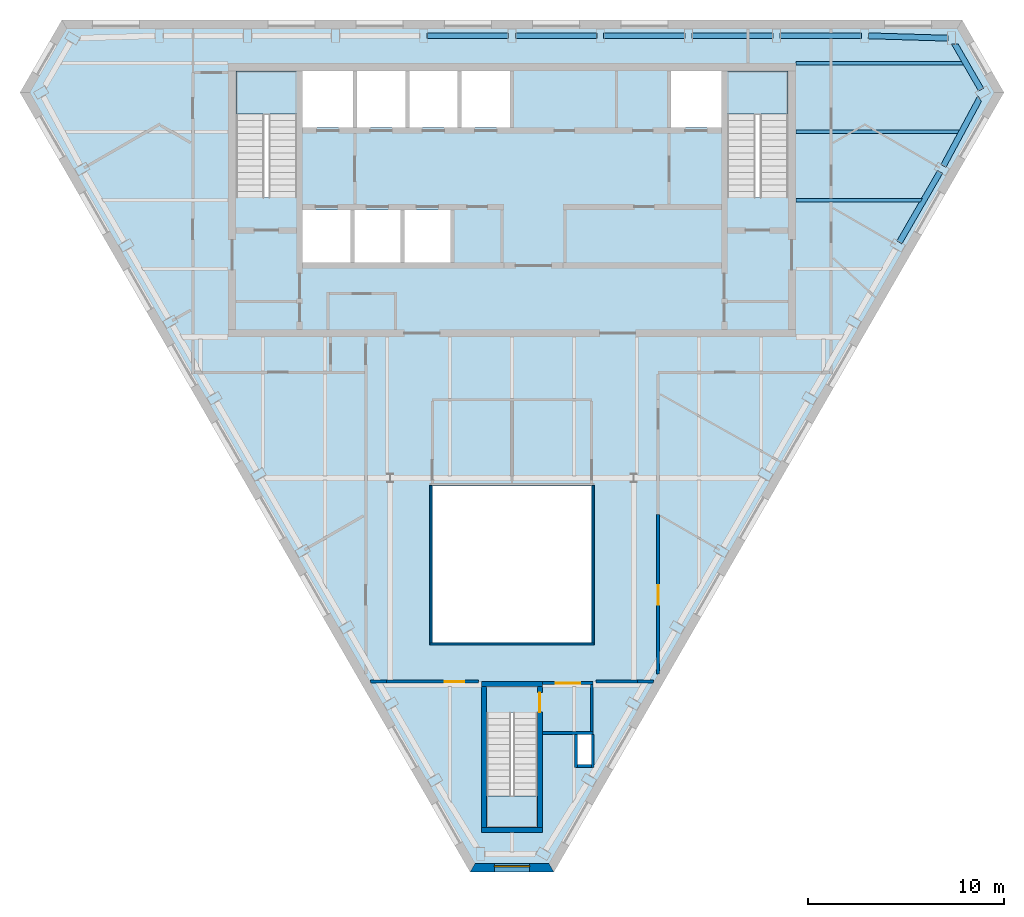
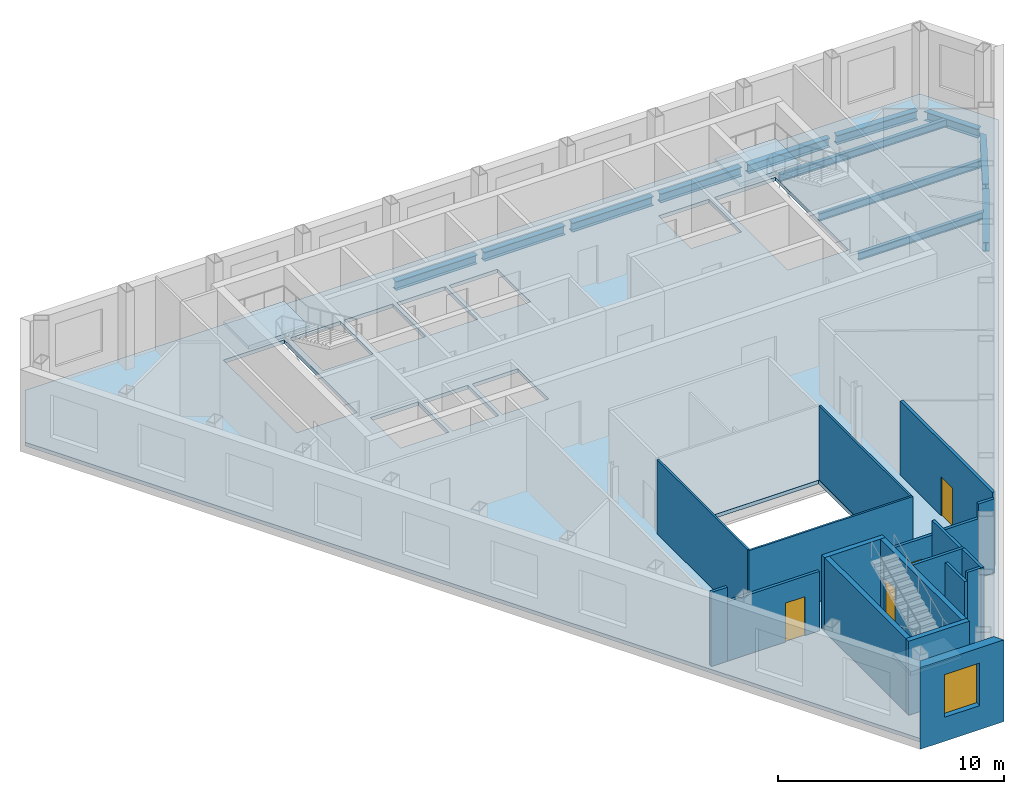
# One storey, part 3 of 9: 19 walls, 12 beams, 4 doors, 4 slabs, 1 window, 5 openings, 3 elements without a shape of their own.
"""IFC4 building model written with IfcOpenShell, lengths in metres."""

from ifc_helpers import new_model, si_unit, direction, frame, frame_2d, origin, origin_2d, place, context, subcontext, project, spatial, polyline, rectangle, i_section, outline, extrude, clip, halfspace, material, layer, layer_set, material_profile, profile_set, type_object, element, fill, aggregate, save


model = new_model("IFC4")

# Units and contexts
model_context = context("Model", 3, precision=1e-05, world=origin(), true_north=direction((0.0, 1.0)))
body_context = subcontext(model_context, "Body", "Model", "MODEL_VIEW")
ifc_project = project(units=[si_unit("LENGTHUNIT", "METRE"), si_unit("AREAUNIT", "SQUARE_METRE"), si_unit("VOLUMEUNIT", "CUBIC_METRE"), si_unit("PLANEANGLEUNIT", "RADIAN"), si_unit("MASSUNIT", "GRAM", prefix="KILO")], contexts=[model_context])

# Site, building, storey
site_placement = place(None, origin())
site = spatial("IfcSite", under=ifc_project, at=site_placement, CompositionType="ELEMENT")
building_placement = place(site_placement, origin())
building = spatial("IfcBuilding", under=site, at=building_placement, Name="Njiva Tower", CompositionType="ELEMENT")
storey_placement = place(building_placement, frame((0.0, 0.0, 325.2)))
storey = spatial("IfcBuildingStorey", under=building, at=storey_placement, Name="L74", CompositionType="ELEMENT", Elevation=325.2)

# Beams
ifc_material_1 = material(Name="Steel S355 J2", Category="steel")
ifc_material_profile_1 = material_profile(ifc_material_1, i_section(OverallWidth=0.3, OverallDepth=0.49, WebThickness=0.012, FlangeThickness=0.023, at=origin_2d()), Name="HEA 500")
ifc_profile_set_1 = profile_set([ifc_material_profile_1], Name="Steel S355 J2")
beam_type_1 = type_object("IfcBeamType", Name="B48 Short-span spandrel beam HEA 500", PredefinedType="SPANDREL", material=ifc_profile_set_1)
beam_1_placement = place(storey_placement, frame((22.277, 19.272, -0.445), z_axis=(-0.999544102072, 0.030192515853, 0.0), x_axis=(-0.030192515853, -0.999544102072, 0.0)))
element("IfcBeam", 1, at=beam_1_placement, inside=storey, type_object=beam_type_1, Name="Short-span spandrel beam S25-B112", PredefinedType="SPANDREL", context=body_context, shape_type="SweptSolid", body=[
    extrude(i_section(OverallWidth=0.3, OverallDepth=0.49, WebThickness=0.012, FlangeThickness=0.023, at=origin_2d()), origin(), (0.0, 0.0, 1.0), 4.0739),
])
beam_2_placement = place(storey_placement, frame((17.851, 19.4, -0.445), z_axis=(-1.0, 0.0, 0.0), x_axis=(0.0, -1.0, 0.0)))
element("IfcBeam", 2, at=beam_2_placement, inside=storey, type_object=beam_type_1, Name="Short-span spandrel beam S25-B107", PredefinedType="SPANDREL", context=body_context, shape_type="SweptSolid", body=[
    extrude(i_section(OverallWidth=0.3, OverallDepth=0.49, WebThickness=0.012, FlangeThickness=0.023, at=origin_2d()), origin(), (0.0, 0.0, 1.0), 4.156),
])
beam_3_placement = place(storey_placement, frame((13.345, 19.4, -0.445), z_axis=(-1.0, 0.0, 0.0), x_axis=(0.0, -1.0, 0.0)))
element("IfcBeam", 3, at=beam_3_placement, inside=storey, type_object=beam_type_1, Name="Short-span spandrel beam S25-B102", PredefinedType="SPANDREL", context=body_context, shape_type="SweptSolid", body=[
    extrude(i_section(OverallWidth=0.3, OverallDepth=0.49, WebThickness=0.012, FlangeThickness=0.023, at=origin_2d()), origin(), (0.0, 0.0, 1.0), 4.157),
])
beam_4_placement = place(storey_placement, frame((8.838, 19.4, -0.445), z_axis=(-1.0, 0.0, 0.0), x_axis=(0.0, -1.0, 0.0)))
element("IfcBeam", 4, at=beam_4_placement, inside=storey, type_object=beam_type_1, Name="Short-span spandrel beam S25-B097", PredefinedType="SPANDREL", context=body_context, shape_type="SweptSolid", body=[
    extrude(i_section(OverallWidth=0.3, OverallDepth=0.49, WebThickness=0.012, FlangeThickness=0.023, at=origin_2d()), origin(), (0.0, 0.0, 1.0), 4.156),
])
for number, where, z_axis, x_axis, name in (
    (5, (4.332, 19.4, -0.445), (-1.0, 0.0, 0.0), (0.0, -1.0, 0.0), "Short-span spandrel beam S25-B092"),
    (6, (-0.175, 19.4, -0.445), (-1.0, 0.0, 0.0), (0.0, -1.0, 0.0), "Short-span spandrel beam S25-B087"),
):
    element("IfcBeam", number, at=place(storey_placement, frame(where, z_axis=z_axis, x_axis=x_axis)), inside=storey, type_object=beam_type_1, Name=name, PredefinedType="SPANDREL", context=body_context, shape_type="SweptSolid", body=[
        extrude(i_section(OverallWidth=0.3, OverallDepth=0.49, WebThickness=0.012, FlangeThickness=0.023, at=origin_2d()), origin(), (0.0, 0.0, 1.0), 4.157),
    ])
beam_5_placement = place(storey_placement, frame((19.792, 8.84, -0.445), z_axis=(0.500201435056, 0.865909073961, 0.0), x_axis=(-0.865909073961, 0.500201435056, 0.0)))
element("IfcBeam", 7, at=beam_5_placement, inside=storey, type_object=beam_type_1, Name="Short-span spandrel beam S25-B114", PredefinedType="SPANDREL", context=body_context, shape_type="SweptSolid", body=[
    extrude(i_section(OverallWidth=0.3, OverallDepth=0.49, WebThickness=0.012, FlangeThickness=0.023, at=origin_2d()), origin(), (0.0, 0.0, 1.0), 4.1563),
])
beam_6_placement = place(storey_placement, frame((22.043, 12.748, -0.445), z_axis=(0.473778736284, 0.880643917282, 0.0), x_axis=(-0.880643917282, 0.473778736284, 0.0)))
element("IfcBeam", 8, at=beam_6_placement, inside=storey, type_object=beam_type_1, Name="Short-span spandrel beam S25-B116", PredefinedType="SPANDREL", context=body_context, shape_type="Clipping", body=[
    clip(extrude(i_section(OverallWidth=0.3, OverallDepth=0.49, WebThickness=0.012, FlangeThickness=0.023, at=origin_2d()), origin(), (0.0, 0.0, 1.0), 4.0136), halfspace(frame((-0.0259, 0.0, 3.8841), z_axis=(-0.525772590734, 0.0, 0.850625171761), x_axis=(0.0, 1.0, 0.0)), False)),
])
beam_7_placement = place(storey_placement, frame((23.97, 16.644, -0.445), z_axis=(-0.499948361456, 0.866055215259, 0.0), x_axis=(-0.866055215259, -0.499948361456, 0.0)))
element("IfcBeam", 9, at=beam_7_placement, inside=storey, type_object=beam_type_1, Name="Short-span spandrel beam S25-B117", PredefinedType="SPANDREL", context=body_context, shape_type="Clipping", body=[
    clip(extrude(i_section(OverallWidth=0.3, OverallDepth=0.49, WebThickness=0.012, FlangeThickness=0.023, at=origin_2d()), origin(), (0.0, 0.0, 1.0), 2.7893), halfspace(frame((-0.0254, 0.0, 2.6676), z_axis=(-0.499948361456, 0.0, 0.866055215259), x_axis=(0.0, 1.0, 0.0)), False)),
])
ifc_material_profile_2 = material_profile(ifc_material_1, i_section(OverallWidth=0.18, OverallDepth=0.4, WebThickness=0.0086, FlangeThickness=0.0135, at=origin_2d()), Name="IPE 400")
ifc_profile_set_2 = profile_set([ifc_material_profile_2], Name="Steel S355 J2")
beam_type_2 = type_object("IfcBeamType", Name="B51 Floor beam to the core IPE 400", PredefinedType="BEAM", material=ifc_profile_set_2)
beam_8_placement = place(storey_placement, frame((14.5, 11.0, -0.4), z_axis=(1.0, 0.0, 0.0), x_axis=(0.0, 1.0, 0.0)))
element("IfcBeam", 10, at=beam_8_placement, inside=storey, type_object=beam_type_2, Name="Floor beam to the core S25-B006", PredefinedType="BEAM", context=body_context, shape_type="Clipping", body=[
    clip(extrude(i_section(OverallWidth=0.18, OverallDepth=0.4, WebThickness=0.0086, FlangeThickness=0.0135, at=origin_2d()), origin(), (0.0, 0.0, 1.0), 6.496), halfspace(frame((-0.025, 0.0, 6.4097), z_axis=(-0.499998009787, 0.0, 0.866026552831), x_axis=(0.0, 1.0, 0.0)), False)),
])
beam_9_placement = place(storey_placement, frame((14.5, 14.5, -0.4), z_axis=(1.0, 0.0, 0.0), x_axis=(0.0, 1.0, 0.0)))
element("IfcBeam", 11, at=beam_9_placement, inside=storey, type_object=beam_type_2, Name="Floor beam to the core S25-B007", PredefinedType="BEAM", context=body_context, shape_type="Clipping", body=[
    clip(extrude(i_section(OverallWidth=0.18, OverallDepth=0.4, WebThickness=0.0086, FlangeThickness=0.0135, at=origin_2d()), origin(), (0.0, 0.0, 1.0), 8.44), halfspace(frame((-0.0237, 0.0, 8.3589), z_axis=(-0.47376166762, 0.0, 0.88065309986), x_axis=(0.0, 1.0, 0.0)), False)),
])
beam_10_placement = place(storey_placement, frame((14.5, 18.0, -0.4), z_axis=(1.0, 0.0, 0.0), x_axis=(0.0, 1.0, 0.0)))
element("IfcBeam", 12, at=beam_10_placement, inside=storey, type_object=beam_type_2, Name="Floor beam to the core S25-B008", PredefinedType="BEAM", context=body_context, shape_type="Clipping", body=[
    clip(extrude(i_section(OverallWidth=0.18, OverallDepth=0.4, WebThickness=0.0086, FlangeThickness=0.0135, at=origin_2d()), origin(), (0.0, 0.0, 1.0), 8.644), halfspace(frame((0.025, 0.0, 8.5578), z_axis=(0.499998009787, 0.0, 0.866026552831), x_axis=(0.0, 1.0, 0.0)), False)),
])

# Stair, slab
ifc_material_2 = material(Name="Concrete C40/50", Category="concrete")
stair_type_1 = type_object("IfcStairType", Name="ST3 Exit stair 1450", PredefinedType="HALF_TURN_STAIR", material=ifc_material_2)
stair_1_placement = place(storey_placement, origin())
stair_1 = element("IfcStair", 13, at=stair_1_placement, inside=storey, type_object=stair_type_1, Name="Stair A", PredefinedType="HALF_TURN_STAIR")
ifc_layer_1 = layer(ifc_material_2, 0.2)
ifc_layer_set_1 = layer_set([ifc_layer_1], Name="Concrete C40/50")
slab_type_1 = type_object("IfcSlabType", Name="FL9 Stair landing 200", PredefinedType="LANDING", material=ifc_layer_set_1)
slab_1_placement = place(storey_placement, frame((0.0, 0.0, 1.9)))
slab_1 = element("IfcSlab", 14, at=slab_1_placement, type_object=slab_type_1, Name="ST-A landing 1", PredefinedType="LANDING", context=body_context, shape_type="SweptSolid", body=[
    extrude(outline(polyline([(-14.106, 15.39), (-10.994, 15.39), (-10.994, 17.6), (-14.106, 17.6), (-14.106, 15.39)])), origin(), (0.0, 0.0, 1.0), 0.2),
])
aggregate(stair_1, [slab_1])

stair_2_placement = place(storey_placement, origin())
stair_2 = element("IfcStair", 15, at=stair_2_placement, inside=storey, type_object=stair_type_1, Name="Stair B", PredefinedType="HALF_TURN_STAIR")
slab_2_placement = place(storey_placement, frame((0.0, 0.0, 1.9)))
slab_2 = element("IfcSlab", 16, at=slab_2_placement, type_object=slab_type_1, Name="ST-B landing 1", PredefinedType="LANDING", context=body_context, shape_type="SweptSolid", body=[
    extrude(outline(polyline([(10.994, 15.39), (14.106, 15.39), (14.106, 17.6), (10.994, 17.6), (10.994, 15.39)])), origin(), (0.0, 0.0, 1.0), 0.2),
])
aggregate(stair_2, [slab_2])

stair_type_2 = type_object("IfcStairType", Name="ST1 Exit stair 1250", PredefinedType="HALF_TURN_STAIR", material=ifc_material_2)
stair_3_placement = place(storey_placement, origin())
stair_3 = element("IfcStair", 17, at=stair_3_placement, inside=storey, type_object=stair_type_2, Name="Stair C", PredefinedType="HALF_TURN_STAIR")
slab_3_placement = place(storey_placement, frame((0.0, 0.0, 1.9)))
slab_3 = element("IfcSlab", 18, at=slab_3_placement, type_object=slab_type_1, Name="ST-C landing 1", PredefinedType="LANDING", context=body_context, shape_type="SweptSolid", body=[
    extrude(outline(polyline([(-1.306, -21.05), (1.306, -21.05), (1.306, -19.45), (-1.306, -19.45), (-1.306, -21.05)])), origin(), (0.0, 0.0, 1.0), 0.2),
])
aggregate(stair_3, [slab_3])

# Slab
ifc_material_3 = material(Name="Concrete C30/37", Category="concrete")
ifc_layer_2 = layer(ifc_material_3, 0.2)
ifc_layer_set_2 = layer_set([ifc_layer_2], Name="Concrete C30/37")
slab_type_2 = type_object("IfcSlabType", Name="SL16 Composite floor slab 200", PredefinedType="FLOOR", material=ifc_layer_set_2)
slab_4_placement = place(storey_placement, frame((0.0, 0.0, -0.2)))
element("IfcSlab", 19, at=slab_4_placement, inside=storey, type_object=slab_type_2, Name="Floor slab L74", PredefinedType="FLOOR", context=body_context, shape_type="SweptSolid", body=[
    extrude(outline(polyline([(24.8752, 16.4934), (2.0101, -23.1101), (-2.0101, -23.1101), (-24.8752, 16.4934), (-22.8651, 19.975), (22.8651, 19.975), (24.8752, 16.4934)]), holes=[polyline([(10.994, 11.13), (14.106, 11.13), (14.106, 17.6), (10.994, 17.6), (10.994, 11.13)]), polyline([(8.125, 14.7), (10.7, 14.7), (10.7, 17.6), (8.125, 17.6), (8.125, 14.7)]), polyline([(4.07, -11.6), (4.07, -3.6), (-4.07, -3.6), (-4.07, -11.6), (4.07, -11.6)]), polyline([(3.35, -17.85), (4.05, -17.85), (4.05, -16.3), (3.35, -16.3), (3.35, -17.85)]), polyline([(-1.306, -21.05), (1.306, -21.05), (1.306, -15.19), (-1.306, -15.19), (-1.306, -21.05)]), polyline([(-2.575, 14.7), (-0.1, 14.7), (-0.1, 17.6), (-2.575, 17.6), (-2.575, 14.7)]), polyline([(-2.775, 14.7), (-2.775, 17.6), (-5.25, 17.6), (-5.25, 14.7), (-2.775, 14.7)]), polyline([(-5.5, 7.8), (-3.15, 7.8), (-3.15, 10.5), (-5.5, 10.5), (-5.5, 7.8)]), polyline([(-7.925, 14.7), (-5.45, 14.7), (-5.45, 17.6), (-7.925, 17.6), (-7.925, 14.7)]), polyline([(-8.05, 7.8), (-5.7, 7.8), (-5.7, 10.5), (-8.05, 10.5), (-8.05, 7.8)]), polyline([(-10.7, 14.7), (-8.125, 14.7), (-8.125, 17.6), (-10.7, 17.6), (-10.7, 14.7)]), polyline([(-8.25, 7.8), (-8.25, 10.5), (-10.7, 10.5), (-10.7, 7.8), (-8.25, 7.8)]), polyline([(-10.994, 11.13), (-10.994, 17.6), (-14.106, 17.6), (-14.106, 11.13), (-10.994, 11.13)])]), origin(), (0.0, 0.0, 1.0), 0.2),
])

# Wall
ifc_material_4 = material(Name="Gypsum board on steel studs", Category="gypsum")
ifc_layer_3 = layer(ifc_material_4, 0.15)
ifc_layer_set_3 = layer_set([ifc_layer_3], Name="Gypsum board on steel studs")
wall_type_1 = type_object("IfcWallType", Name="WT21 Compartment wall 150", PredefinedType="PARTITIONING", material=ifc_layer_set_3)
wall_1_placement = place(storey_placement, frame((-7.241, -13.6, 0.0), z_axis=(0.0, 0.0, 1.0), x_axis=(1.0, 0.0, 0.0)))
element("IfcWall", 20, at=wall_1_placement, inside=storey, type_object=wall_type_1, Name="Partition S25-P011", PredefinedType="PARTITIONING", context=body_context, shape_type="SweptSolid", body=[
    extrude(rectangle(XDim=0.826, YDim=0.15, at=frame_2d((0.413, 0.0))), origin(), (0.0, 0.0, 1.0), 4.0),
])

# Wall, opening, door
wall_2_placement = place(storey_placement, frame((-6.415, -13.6, 0.0), z_axis=(0.0, 0.0, 1.0), x_axis=(1.0, 0.0, 0.0)))
wall_2 = element("IfcWall", 21, at=wall_2_placement, inside=storey, type_object=wall_type_1, Name="Partition S25-P011A", PredefinedType="PARTITIONING", context=body_context, shape_type="SweptSolid", body=[
    extrude(rectangle(XDim=4.715, YDim=0.15, at=frame_2d((2.3575, 0.0))), origin(), (0.0, 0.0, 1.0), 3.21),
])
opening_1_placement = place(wall_2_placement, frame((2.969, 0.0, 0.0)))
opening_1 = element("IfcOpeningElement", 22, at=opening_1_placement, cuts=wall_2, Name="Opening S25-D008", PredefinedType="OPENING", context=body_context, shape_type="SweptSolid", body=[
    extrude(rectangle(XDim=1.0, YDim=2.1, at=frame_2d((0.5, 1.05))), frame((0.0, 0.085, 0.0), z_axis=(0.0, -1.0, 0.0), x_axis=(1.0, 0.0, 0.0)), (0.0, 0.0, 1.0), 0.17),
])
ifc_material_5 = material(Name="Steel fire door set", Category="steel")
door_type_1 = type_object("IfcDoorType", Name="D37 Fire door 1000x2100", OperationType="SINGLE_SWING_LEFT", PredefinedType="DOOR", material=ifc_material_5)
door_1_placement = place(opening_1_placement, origin())
door_1 = element("IfcDoor", 23, at=door_1_placement, inside=storey, type_object=door_type_1, Name="Door S25-D008", OperationType="SINGLE_SWING_RIGHT", OverallHeight=2.1, OverallWidth=1.0, PredefinedType="DOOR", context=body_context, shape_type="SweptSolid", body=[
    extrude(rectangle(XDim=1.0, YDim=2.1, at=frame_2d((0.5, 1.05))), frame((0.0, 0.025, 0.0), z_axis=(0.0, -1.0, 0.0), x_axis=(1.0, 0.0, 0.0)), (0.0, 0.0, 1.0), 0.05),
])
fill(opening_1, door_1)

# Walls
wall_3_placement = place(storey_placement, frame((4.3, -13.6, 0.0), z_axis=(0.0, 0.0, 1.0), x_axis=(1.0, 0.0, 0.0)))
element("IfcWall", 24, at=wall_3_placement, inside=storey, type_object=wall_type_1, Name="Partition S25-P016", PredefinedType="PARTITIONING", context=body_context, shape_type="SweptSolid", body=[
    extrude(rectangle(XDim=2.115, YDim=0.15, at=frame_2d((1.0575, 0.0))), origin(), (0.0, 0.0, 1.0), 3.21),
])
wall_4_placement = place(storey_placement, frame((6.415, -13.6, 0.0), z_axis=(0.0, 0.0, 1.0), x_axis=(1.0, 0.0, 0.0)))
element("IfcWall", 25, at=wall_4_placement, inside=storey, type_object=wall_type_1, Name="Partition S25-P016A", PredefinedType="PARTITIONING", context=body_context, shape_type="SweptSolid", body=[
    extrude(rectangle(XDim=0.826, YDim=0.15, at=frame_2d((0.413, 0.0))), origin(), (0.0, 0.0, 1.0), 4.0),
])

# Wall, opening, door
wall_5_placement = place(storey_placement, frame((7.47, -13.203, 0.0), z_axis=(0.0, 0.0, 1.0), x_axis=(0.0, 1.0, 0.0)))
wall_5 = element("IfcWall", 26, at=wall_5_placement, inside=storey, type_object=wall_type_1, Name="Partition S25-P017", PredefinedType="PARTITIONING", context=body_context, shape_type="SweptSolid", body=[
    extrude(rectangle(XDim=8.15, YDim=0.15, at=frame_2d((4.075, 0.0))), origin(), (0.0, 0.0, 1.0), 4.0),
])
opening_2_placement = place(wall_5_placement, frame((3.519, 0.0, 0.0)))
opening_2 = element("IfcOpeningElement", 27, at=opening_2_placement, cuts=wall_5, Name="Opening S25-D011", PredefinedType="OPENING", context=body_context, shape_type="SweptSolid", body=[
    extrude(rectangle(XDim=1.0, YDim=2.1, at=frame_2d((0.5, 1.05))), frame((0.0, 0.085, 0.0), z_axis=(0.0, -1.0, 0.0), x_axis=(1.0, 0.0, 0.0)), (0.0, 0.0, 1.0), 0.17),
])
door_2_placement = place(opening_2_placement, origin())
door_2 = element("IfcDoor", 28, at=door_2_placement, inside=storey, type_object=door_type_1, Name="Door S25-D011", OperationType="SINGLE_SWING_LEFT", OverallHeight=2.1, OverallWidth=1.0, PredefinedType="DOOR", context=body_context, shape_type="SweptSolid", body=[
    extrude(rectangle(XDim=1.0, YDim=2.1, at=frame_2d((0.5, 1.05))), frame((0.0, 0.025, 0.0), z_axis=(0.0, -1.0, 0.0), x_axis=(1.0, 0.0, 0.0)), (0.0, 0.0, 1.0), 0.05),
])
fill(opening_2, door_2)

# Walls
ifc_material_6 = material(Name="Blockwork", Category="masonry")
ifc_layer_4 = layer(ifc_material_6, 0.15)
ifc_layer_set_4 = layer_set([ifc_layer_4], Name="Blockwork")
wall_type_2 = type_object("IfcWallType", Name="WT4 Stair partition 150", PredefinedType="PARTITIONING", material=ifc_layer_set_4)
wall_6_placement = place(storey_placement, frame((1.55, -16.225, 0.0), z_axis=(0.0, 0.0, 1.0), x_axis=(1.0, 0.0, 0.0)))
element("IfcWall", 29, at=wall_6_placement, inside=storey, type_object=wall_type_2, Name="Stair C vestibule wall south", PredefinedType="PARTITIONING", context=body_context, shape_type="SweptSolid", body=[
    extrude(rectangle(XDim=2.6, YDim=0.15, at=frame_2d((1.3, 0.0))), origin(), (0.0, 0.0, 1.0), 4.0),
])
wall_7_placement = place(storey_placement, frame((4.075, -16.15, 0.0), z_axis=(0.0, 0.0, 1.0), x_axis=(0.0, 1.0, 0.0)))
element("IfcWall", 30, at=wall_7_placement, inside=storey, type_object=wall_type_2, Name="Stair C vestibule wall east", PredefinedType="PARTITIONING", context=body_context, shape_type="SweptSolid", body=[
    extrude(rectangle(XDim=2.4, YDim=0.15, at=frame_2d((1.2, 0.0))), origin(), (0.0, 0.0, 1.0), 4.0),
])

# Wall, opening, door
wall_8_placement = place(storey_placement, frame((1.55, -13.675, 0.0), z_axis=(0.0, 0.0, 1.0), x_axis=(1.0, 0.0, 0.0)))
wall_8 = element("IfcWall", 31, at=wall_8_placement, inside=storey, type_object=wall_type_2, Name="Stair C vestibule wall north", PredefinedType="PARTITIONING", context=body_context, shape_type="SweptSolid", body=[
    extrude(rectangle(XDim=2.6, YDim=0.15, at=frame_2d((1.3, 0.0))), origin(), (0.0, 0.0, 1.0), 3.21),
])
opening_3_placement = place(wall_8_placement, frame((0.675, 0.0, 0.0)))
opening_3 = element("IfcOpeningElement", 32, at=opening_3_placement, cuts=wall_8, Name="Opening S25-D928", PredefinedType="OPENING", context=body_context, shape_type="SweptSolid", body=[
    extrude(rectangle(XDim=1.25, YDim=2.1, at=frame_2d((0.625, 1.05))), frame((0.0, 0.085, 0.0), z_axis=(0.0, -1.0, 0.0), x_axis=(1.0, 0.0, 0.0)), (0.0, 0.0, 1.0), 0.17),
])
ifc_material_7 = material(Name="Glazed steel fire door", Category="steel")
door_type_2 = type_object("IfcDoorType", Name="D8 Vestibule corridor door 1250x2100 glazed", OperationType="SINGLE_SWING_LEFT", PredefinedType="DOOR", material=ifc_material_7)
door_3_placement = place(opening_3_placement, origin())
door_3 = element("IfcDoor", 33, at=door_3_placement, inside=storey, type_object=door_type_2, Name="Stair vestibule corridor door", OperationType="SINGLE_SWING_RIGHT", OverallHeight=2.1, OverallWidth=1.25, PredefinedType="DOOR", context=body_context, shape_type="SweptSolid", body=[
    extrude(rectangle(XDim=1.25, YDim=2.1, at=frame_2d((0.625, 1.05))), frame((0.0, 0.025, 0.0), z_axis=(0.0, -1.0, 0.0), x_axis=(1.0, 0.0, 0.0)), (0.0, 0.0, 1.0), 0.05),
])
fill(opening_3, door_3)

# Walls
wall_9_placement = place(storey_placement, frame((3.275, -18.0, 0.0), z_axis=(0.0, 0.0, 1.0), x_axis=(0.0, 1.0, 0.0)))
element("IfcWall", 34, at=wall_9_placement, inside=storey, type_object=wall_type_2, Name="Stair C pressurisation shaft wall", PredefinedType="PARTITIONING", context=body_context, shape_type="SweptSolid", body=[
    extrude(rectangle(XDim=1.7, YDim=0.15, at=frame_2d((0.85, 0.0))), origin(), (0.0, 0.0, 1.0), 3.55),
])
wall_10_placement = place(storey_placement, frame((3.35, -17.925, 0.0), z_axis=(0.0, 0.0, 1.0), x_axis=(1.0, 0.0, 0.0)))
element("IfcWall", 35, at=wall_10_placement, inside=storey, type_object=wall_type_2, Name="Stair C pressurisation shaft wall", PredefinedType="PARTITIONING", context=body_context, shape_type="SweptSolid", body=[
    extrude(rectangle(XDim=0.7, YDim=0.15, at=frame_2d((0.35, 0.0))), origin(), (0.0, 0.0, 1.0), 4.0),
])
wall_11_placement = place(storey_placement, frame((4.125, -18.0, 0.0), z_axis=(0.0, 0.0, 1.0), x_axis=(0.0, 1.0, 0.0)))
element("IfcWall", 36, at=wall_11_placement, inside=storey, type_object=wall_type_2, Name="Stair C pressurisation shaft wall", PredefinedType="PARTITIONING", context=body_context, shape_type="SweptSolid", body=[
    extrude(rectangle(XDim=1.7, YDim=0.15, at=frame_2d((0.85, 0.0))), origin(), (0.0, 0.0, 1.0), 4.0),
])
ifc_layer_5 = layer(ifc_material_2, 0.25)
ifc_layer_set_5 = layer_set([ifc_layer_5], Name="Concrete C40/50")
wall_type_3 = type_object("IfcWallType", Name="WT9 Stair enclosure wall 250", PredefinedType="SHEAR", material=ifc_layer_set_5)
wall_12_placement = place(storey_placement, frame((-1.425, -21.05, 0.0), z_axis=(0.0, 0.0, 1.0), x_axis=(0.0, 1.0, 0.0)))
element("IfcWall", 37, at=wall_12_placement, inside=storey, type_object=wall_type_3, Name="Stair C wall west", PredefinedType="SHEAR", context=body_context, shape_type="SweptSolid", body=[
    extrude(rectangle(XDim=7.2, YDim=0.25, at=frame_2d((3.6, 0.0))), origin(), (0.0, 0.0, 1.0), 4.0),
])

# Wall, opening, door
wall_13_placement = place(storey_placement, frame((1.425, -21.05, 0.0), z_axis=(0.0, 0.0, 1.0), x_axis=(0.0, 1.0, 0.0)))
wall_13 = element("IfcWall", 38, at=wall_13_placement, inside=storey, type_object=wall_type_3, Name="Stair C wall east", PredefinedType="SHEAR", context=body_context, shape_type="SweptSolid", body=[
    extrude(rectangle(XDim=7.2, YDim=0.25, at=frame_2d((3.6, 0.0))), origin(), (0.0, 0.0, 1.0), 4.0),
])
opening_4_placement = place(wall_13_placement, frame((5.89, 0.0, 0.0)))
opening_4 = element("IfcOpeningElement", 39, at=opening_4_placement, cuts=wall_13, Name="Opening S25-D927", PredefinedType="OPENING", context=body_context, shape_type="SweptSolid", body=[
    extrude(rectangle(XDim=1.0, YDim=2.1, at=frame_2d((0.5, 1.05))), frame((0.0, 0.135, 0.0), z_axis=(0.0, -1.0, 0.0), x_axis=(1.0, 0.0, 0.0)), (0.0, 0.0, 1.0), 0.27),
])
door_type_3 = type_object("IfcDoorType", Name="D9 Stair vestibule door 1000x2100 glazed", OperationType="SINGLE_SWING_LEFT", PredefinedType="DOOR", material=ifc_material_7)
door_4_placement = place(opening_4_placement, origin())
door_4 = element("IfcDoor", 40, at=door_4_placement, inside=storey, type_object=door_type_3, Name="Stair C door", OperationType="SINGLE_SWING_LEFT", OverallHeight=2.1, OverallWidth=1.0, PredefinedType="DOOR", context=body_context, shape_type="SweptSolid", body=[
    extrude(rectangle(XDim=1.0, YDim=2.1, at=frame_2d((0.5, 1.05))), frame((0.0, 0.025, 0.0), z_axis=(0.0, -1.0, 0.0), x_axis=(1.0, 0.0, 0.0)), (0.0, 0.0, 1.0), 0.05),
])
fill(opening_4, door_4)

# Walls
for number, where, z_axis, x_axis, name in (
    (41, (-1.55, -21.175, 0.0), (0.0, 0.0, 1.0), (1.0, 0.0, 0.0), "Stair C wall south"),
    (42, (-1.55, -13.725, 0.0), (0.0, 0.0, 1.0), (1.0, 0.0, 0.0), "Stair C wall north"),
):
    element("IfcWall", number, at=place(storey_placement, frame(where, z_axis=z_axis, x_axis=x_axis)), inside=storey, type_object=wall_type_3, Name=name, PredefinedType="SHEAR", context=body_context, shape_type="SweptSolid", body=[
        extrude(rectangle(XDim=3.1, YDim=0.25, at=frame_2d((1.55, 0.0))), origin(), (0.0, 0.0, 1.0), 4.0),
    ])

# Wall, opening, window
ifc_material_8 = material(Name="Brick masonry, buff", Category="masonry")
ifc_layer_6 = layer(ifc_material_8, 0.45)
ifc_layer_set_6 = layer_set([ifc_layer_6], Name="Brick masonry, buff")
wall_type_4 = type_object("IfcWallType", Name="WT94 Brick pier and spandrel wall 450, buff", PredefinedType="SOLIDWALL", material=ifc_layer_set_6)
wall_14_placement = place(storey_placement, frame((-2.0101, -23.1101, -0.4), z_axis=(0.0, 0.0, 1.0), x_axis=(1.0, 0.0, 0.0)))
wall_14 = element("IfcWall", 43, at=wall_14_placement, inside=storey, type_object=wall_type_4, Name="Facade wall S", PredefinedType="SOLIDWALL", context=body_context, shape_type="SweptSolid", body=[
    extrude(outline(polyline([(-0.1299, -0.225), (4.1501, -0.225), (3.8903, 0.225), (0.1299, 0.225), (-0.1299, -0.225)])), origin(), (0.0, 0.0, 1.0), 4.42),
])
opening_5_placement = place(wall_14_placement, frame((1.1101, 0.0, 1.3)))
opening_5 = element("IfcOpeningElement", 44, at=opening_5_placement, cuts=wall_14, Name="Opening S25-W18", PredefinedType="OPENING", context=body_context, shape_type="SweptSolid", body=[
    extrude(rectangle(XDim=1.8, YDim=2.3, at=frame_2d((0.9, 1.15))), frame((0.0, 0.235, 0.0), z_axis=(0.0, -1.0, 0.0), x_axis=(1.0, 0.0, 0.0)), (0.0, 0.0, 1.0), 0.47),
])
ifc_material_9 = material(Name="Clear glazing in aluminium frame", Category="aluminium")
window_type = type_object("IfcWindowType", Name="W95 Deep-set window 1800x2300", PartitioningType="SINGLE_PANEL", PredefinedType="WINDOW", material=ifc_material_9)
window_placement = place(opening_5_placement, origin())
window = element("IfcWindow", 45, at=window_placement, inside=storey, type_object=window_type, Name="Window", OverallHeight=2.3, OverallWidth=1.8, PartitioningType="SINGLE_PANEL", PredefinedType="WINDOW", context=body_context, shape_type="SweptSolid", body=[
    extrude(rectangle(XDim=1.8, YDim=2.3, at=frame_2d((0.9, 1.15))), frame((0.0, 0.105, 0.0), z_axis=(0.0, -1.0, 0.0), x_axis=(1.0, 0.0, 0.0)), (0.0, 0.0, 1.0), 0.06),
])
fill(opening_5, window)

# Walls
ifc_material_10 = material(Name="Fire-resisting glazing EI 90", Category="glass")
ifc_layer_7 = layer(ifc_material_10, 0.1)
ifc_layer_set_7 = layer_set([ifc_layer_7], Name="Fire-resisting glazing EI 90")
wall_type_5 = type_object("IfcWallType", Name="WT95 Fire-resisting glazed screen EI 90", PredefinedType="PARTITIONING", material=ifc_layer_set_7)
wall_15_placement = place(storey_placement, frame((-4.19, -11.67, 0.0), z_axis=(0.0, 0.0, 1.0), x_axis=(1.0, 0.0, 0.0)))
element("IfcWall", 46, at=wall_15_placement, inside=storey, type_object=wall_type_5, Name="Atrium fire screen south", PredefinedType="PARTITIONING", context=body_context, shape_type="SweptSolid", body=[
    extrude(rectangle(XDim=8.38, YDim=0.1, at=frame_2d((4.19, 0.0))), origin(), (0.0, 0.0, 1.0), 4.0),
])
for number, where, z_axis, x_axis, name in (
    (47, (4.14, -11.62, 0.0), (0.0, 0.0, 1.0), (0.0, 1.0, 0.0), "Atrium fire screen east"),
    (48, (-4.14, -3.58, 0.0), (0.0, 0.0, 1.0), (0.0, -1.0, 0.0), "Atrium fire screen west"),
):
    element("IfcWall", number, at=place(storey_placement, frame(where, z_axis=z_axis, x_axis=x_axis)), inside=storey, type_object=wall_type_5, Name=name, PredefinedType="PARTITIONING", context=body_context, shape_type="SweptSolid", body=[
        extrude(rectangle(XDim=8.04, YDim=0.1, at=frame_2d((4.02, 0.0))), origin(), (0.0, 0.0, 1.0), 4.0),
    ])

save(model, "model.ifc")
